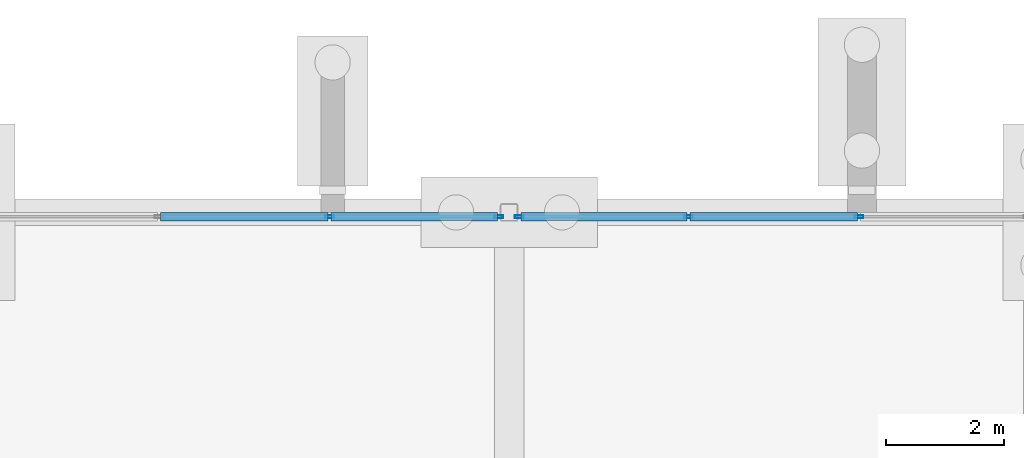
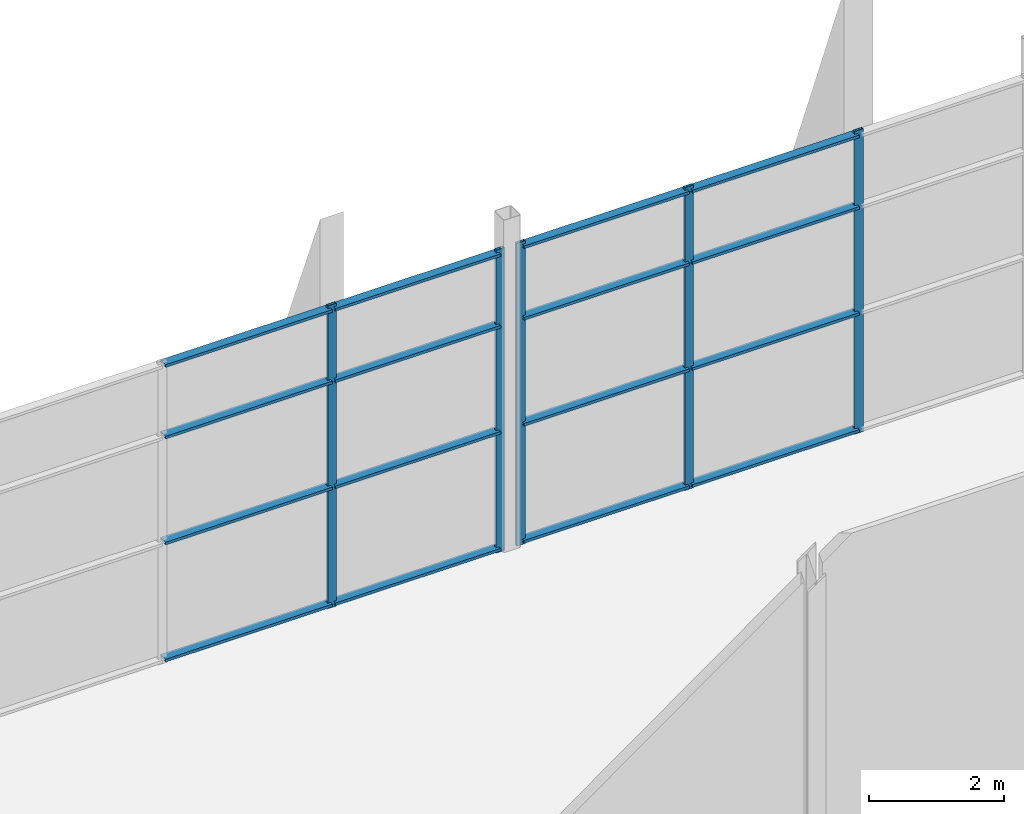
# One storey, part 83 of 139: 21 members, 2 elements without a shape of their own.
"""IFC4 building model written with IfcOpenShell, lengths in metres."""

from ifc_helpers import new_model, si_unit, direction, frame, origin, origin_2d, place, context, subcontext, project, spatial, hollow_rectangle, extrude, material, layer, layer_set, material_profile, profile_set, type_object, element, aggregate, save


model = new_model("IFC4")

# Units and contexts
model_context = context("Model", 3, precision=1e-05, world=origin(), true_north=direction((0.0, 1.0)))
body_context = subcontext(model_context, "Body", "Model", "MODEL_VIEW")
ifc_project = project(units=[si_unit("LENGTHUNIT", "METRE"), si_unit("AREAUNIT", "SQUARE_METRE"), si_unit("VOLUMEUNIT", "CUBIC_METRE"), si_unit("PLANEANGLEUNIT", "RADIAN"), si_unit("MASSUNIT", "GRAM", prefix="KILO")], contexts=[model_context])

# Site, building, storey
site_placement = place(None, origin())
site = spatial("IfcSite", under=ifc_project, at=site_placement, CompositionType="ELEMENT")
building_placement = place(site_placement, origin())
building = spatial("IfcBuilding", under=site, at=building_placement, Name="Shorebreak Coast Museum", CompositionType="ELEMENT")
storey_placement = place(building_placement, origin())
storey = spatial("IfcBuildingStorey", under=building, at=storey_placement, Name="L00", CompositionType="ELEMENT", Elevation=0.0)

# Curtain wall, members
ifc_material_1 = material(Name="Aluminium", Category="aluminium")
ifc_layer = layer(ifc_material_1, 0.14990234375)
ifc_layer_set = layer_set([ifc_layer], Name="Aluminium")
curtain_wall_type = type_object("IfcCurtainWallType", Name="Storefront curtain wall", PredefinedType="NOTDEFINED", material=ifc_layer_set)
curtain_wall_1_placement = place(storey_placement, origin())
curtain_wall_1 = element("IfcCurtainWall", 1, at=curtain_wall_1_placement, inside=storey, type_object=curtain_wall_type, Name="Storefront L00 N 4", PredefinedType="NOTDEFINED")
ifc_material_2 = material(Name="Aluminium", Category="aluminium")
ifc_material_profile_1 = material_profile(ifc_material_2, hollow_rectangle(XDim=0.050048828125, YDim=0.14990234375, WallThickness=0.00390625, at=origin_2d()), Name="AL 150x50 RHS")
ifc_profile_set_1 = profile_set([ifc_material_profile_1], Name="Aluminium")
member_type_1 = type_object("IfcMemberType", Name="Storefront mullion 50 x 150", PredefinedType="MULLION", material=ifc_profile_set_1)
member_1_placement = place(storey_placement, frame((140.949951171875, 89.925048828125, 0.0), z_axis=(0.0, 0.0, 1.0), x_axis=(0.0, 1.0, 0.0)))
member_1 = element("IfcMember", 2, at=member_1_placement, type_object=member_type_1, Name="CW8 mullion 3", PredefinedType="MULLION", context=body_context, shape_type="SweptSolid", body=[
    extrude(hollow_rectangle(XDim=0.050048828125, YDim=0.14990234375, WallThickness=0.00390625, at=origin_2d()), origin(), (0.0, 0.0, 1.0), 5.469482421875),
])
member_2_placement = place(storey_placement, frame((143.824951171875, 89.925048828125, 0.0), z_axis=(0.0, 0.0, 1.0), x_axis=(0.0, 1.0, 0.0)))
member_2 = element("IfcMember", 3, at=member_2_placement, type_object=member_type_1, Name="CW8 mullion 4", PredefinedType="MULLION", context=body_context, shape_type="SweptSolid", body=[
    extrude(hollow_rectangle(XDim=0.050048828125, YDim=0.14990234375, WallThickness=0.00390625, at=origin_2d()), origin(), (0.0, 0.0, 1.0), 5.469482421875),
])

curtain_wall_2_placement = place(storey_placement, origin())
curtain_wall_2 = element("IfcCurtainWall", 4, at=curtain_wall_2_placement, inside=storey, type_object=curtain_wall_type, Name="Storefront L00 N 5", PredefinedType="NOTDEFINED")
member_3_placement = place(storey_placement, frame((144.175048828125, 89.925048828125, 0.0), z_axis=(0.0, 0.0, 1.0), x_axis=(0.0, 1.0, 0.0)))
member_3 = element("IfcMember", 5, at=member_3_placement, type_object=member_type_1, Name="CW8 mullion 1", PredefinedType="MULLION", context=body_context, shape_type="SweptSolid", body=[
    extrude(hollow_rectangle(XDim=0.050048828125, YDim=0.14990234375, WallThickness=0.00390625, at=origin_2d()), origin(), (0.0, 0.0, 1.0), 5.469482421875),
])
member_4_placement = place(storey_placement, frame((147.050048828125, 89.925048828125, 0.0), z_axis=(0.0, 0.0, 1.0), x_axis=(0.0, 1.0, 0.0)))
member_4 = element("IfcMember", 6, at=member_4_placement, type_object=member_type_1, Name="CW8 mullion 2", PredefinedType="MULLION", context=body_context, shape_type="SweptSolid", body=[
    extrude(hollow_rectangle(XDim=0.050048828125, YDim=0.14990234375, WallThickness=0.00390625, at=origin_2d()), origin(), (0.0, 0.0, 1.0), 5.469482421875),
])
member_5_placement = place(storey_placement, frame((149.949951171875, 89.925048828125, 0.0), z_axis=(0.0, 0.0, 1.0), x_axis=(0.0, 1.0, 0.0)))
member_5 = element("IfcMember", 7, at=member_5_placement, type_object=member_type_1, Name="CW8 mullion 3", PredefinedType="MULLION", context=body_context, shape_type="SweptSolid", body=[
    extrude(hollow_rectangle(XDim=0.050048828125, YDim=0.14990234375, WallThickness=0.00390625, at=origin_2d()), origin(), (0.0, 0.0, 1.0), 5.469482421875),
])

# Member
ifc_material_3 = material(Name="Aluminium", Category="aluminium")
ifc_material_profile_2 = material_profile(ifc_material_3, hollow_rectangle(XDim=0.14990234375, YDim=0.050048828125, WallThickness=0.00390625, at=origin_2d()), Name="AL 50x150 RHS")
ifc_profile_set_2 = profile_set([ifc_material_profile_2], Name="Aluminium")
member_type_2 = type_object("IfcMemberType", Name="Storefront transom 150 x 50", PredefinedType="USERDEFINED", material=ifc_profile_set_2)
member_6_placement = place(storey_placement, frame((138.074951171875, 89.925048828125, 0.074951171875), z_axis=(1.0, 0.0, 0.0), x_axis=(0.0, 1.0, 0.0)))
member_6 = element("IfcMember", 8, at=member_6_placement, type_object=member_type_2, Name="CW8 transom 2.1", ObjectType="TRANSOM", PredefinedType="USERDEFINED", context=body_context, shape_type="SweptSolid", body=[
    extrude(hollow_rectangle(XDim=0.14990234375, YDim=0.050048828125, WallThickness=0.00390625, at=origin_2d()), origin(), (0.0, 0.0, 1.0), 2.85009765625),
])

member_7_placement = place(storey_placement, frame((138.074951171875, 89.925048828125, 2.187744140625), z_axis=(1.0, 0.0, 0.0), x_axis=(0.0, 1.0, 0.0)))
member_7 = element("IfcMember", 9, at=member_7_placement, type_object=member_type_2, Name="CW8 transom 2.2", ObjectType="TRANSOM", PredefinedType="USERDEFINED", context=body_context, shape_type="SweptSolid", body=[
    extrude(hollow_rectangle(XDim=0.14990234375, YDim=0.050048828125, WallThickness=0.00390625, at=origin_2d()), origin(), (0.0, 0.0, 1.0), 2.85009765625),
])

member_8_placement = place(storey_placement, frame((138.074951171875, 89.925048828125, 4.10205078125), z_axis=(1.0, 0.0, 0.0), x_axis=(0.0, 1.0, 0.0)))
member_8 = element("IfcMember", 10, at=member_8_placement, type_object=member_type_2, Name="CW8 transom 2.3", ObjectType="TRANSOM", PredefinedType="USERDEFINED", context=body_context, shape_type="SweptSolid", body=[
    extrude(hollow_rectangle(XDim=0.14990234375, YDim=0.050048828125, WallThickness=0.00390625, at=origin_2d()), origin(), (0.0, 0.0, 1.0), 2.85009765625),
])

member_9_placement = place(storey_placement, frame((138.074951171875, 89.925048828125, 5.394287109375), z_axis=(1.0, 0.0, 0.0), x_axis=(0.0, 1.0, 0.0)))
member_9 = element("IfcMember", 11, at=member_9_placement, type_object=member_type_2, Name="CW8 transom 2.4", ObjectType="TRANSOM", PredefinedType="USERDEFINED", context=body_context, shape_type="SweptSolid", body=[
    extrude(hollow_rectangle(XDim=0.14990234375, YDim=0.050048828125, WallThickness=0.00390625, at=origin_2d()), origin(), (0.0, 0.0, 1.0), 2.85009765625),
])

member_10_placement = place(storey_placement, frame((140.97509765625, 89.925048828125, 0.074951171875), z_axis=(1.0, 0.0, 0.0), x_axis=(0.0, 1.0, 0.0)))
member_10 = element("IfcMember", 12, at=member_10_placement, type_object=member_type_2, Name="CW8 transom 3.1", ObjectType="TRANSOM", PredefinedType="USERDEFINED", context=body_context, shape_type="SweptSolid", body=[
    extrude(hollow_rectangle(XDim=0.14990234375, YDim=0.050048828125, WallThickness=0.00390625, at=origin_2d()), origin(), (0.0, 0.0, 1.0), 2.824951171875),
])

member_11_placement = place(storey_placement, frame((140.97509765625, 89.925048828125, 2.187744140625), z_axis=(1.0, 0.0, 0.0), x_axis=(0.0, 1.0, 0.0)))
member_11 = element("IfcMember", 13, at=member_11_placement, type_object=member_type_2, Name="CW8 transom 3.2", ObjectType="TRANSOM", PredefinedType="USERDEFINED", context=body_context, shape_type="SweptSolid", body=[
    extrude(hollow_rectangle(XDim=0.14990234375, YDim=0.050048828125, WallThickness=0.00390625, at=origin_2d()), origin(), (0.0, 0.0, 1.0), 2.824951171875),
])

member_12_placement = place(storey_placement, frame((140.97509765625, 89.925048828125, 4.10205078125), z_axis=(1.0, 0.0, 0.0), x_axis=(0.0, 1.0, 0.0)))
member_12 = element("IfcMember", 14, at=member_12_placement, type_object=member_type_2, Name="CW8 transom 3.3", ObjectType="TRANSOM", PredefinedType="USERDEFINED", context=body_context, shape_type="SweptSolid", body=[
    extrude(hollow_rectangle(XDim=0.14990234375, YDim=0.050048828125, WallThickness=0.00390625, at=origin_2d()), origin(), (0.0, 0.0, 1.0), 2.824951171875),
])

member_13_placement = place(storey_placement, frame((140.97509765625, 89.925048828125, 5.394287109375), z_axis=(1.0, 0.0, 0.0), x_axis=(0.0, 1.0, 0.0)))
member_13 = element("IfcMember", 15, at=member_13_placement, type_object=member_type_2, Name="CW8 transom 3.4", ObjectType="TRANSOM", PredefinedType="USERDEFINED", context=body_context, shape_type="SweptSolid", body=[
    extrude(hollow_rectangle(XDim=0.14990234375, YDim=0.050048828125, WallThickness=0.00390625, at=origin_2d()), origin(), (0.0, 0.0, 1.0), 2.824951171875),
])

aggregate(curtain_wall_1, [member_1, member_2, member_6, member_7, member_8, member_9, member_10, member_11, member_12, member_13])

member_14_placement = place(storey_placement, frame((144.199951171875, 89.925048828125, 0.074951171875), z_axis=(1.0, 0.0, 0.0), x_axis=(0.0, 1.0, 0.0)))
member_14 = element("IfcMember", 16, at=member_14_placement, type_object=member_type_2, Name="CW8 transom 1.1", ObjectType="TRANSOM", PredefinedType="USERDEFINED", context=body_context, shape_type="SweptSolid", body=[
    extrude(hollow_rectangle(XDim=0.14990234375, YDim=0.050048828125, WallThickness=0.00390625, at=origin_2d()), origin(), (0.0, 0.0, 1.0), 2.824951171875),
])

member_15_placement = place(storey_placement, frame((144.199951171875, 89.925048828125, 2.187744140625), z_axis=(1.0, 0.0, 0.0), x_axis=(0.0, 1.0, 0.0)))
member_15 = element("IfcMember", 17, at=member_15_placement, type_object=member_type_2, Name="CW8 transom 1.2", ObjectType="TRANSOM", PredefinedType="USERDEFINED", context=body_context, shape_type="SweptSolid", body=[
    extrude(hollow_rectangle(XDim=0.14990234375, YDim=0.050048828125, WallThickness=0.00390625, at=origin_2d()), origin(), (0.0, 0.0, 1.0), 2.824951171875),
])

member_16_placement = place(storey_placement, frame((144.199951171875, 89.925048828125, 4.10205078125), z_axis=(1.0, 0.0, 0.0), x_axis=(0.0, 1.0, 0.0)))
member_16 = element("IfcMember", 18, at=member_16_placement, type_object=member_type_2, Name="CW8 transom 1.3", ObjectType="TRANSOM", PredefinedType="USERDEFINED", context=body_context, shape_type="SweptSolid", body=[
    extrude(hollow_rectangle(XDim=0.14990234375, YDim=0.050048828125, WallThickness=0.00390625, at=origin_2d()), origin(), (0.0, 0.0, 1.0), 2.824951171875),
])

member_17_placement = place(storey_placement, frame((144.199951171875, 89.925048828125, 5.394287109375), z_axis=(1.0, 0.0, 0.0), x_axis=(0.0, 1.0, 0.0)))
member_17 = element("IfcMember", 19, at=member_17_placement, type_object=member_type_2, Name="CW8 transom 1.4", ObjectType="TRANSOM", PredefinedType="USERDEFINED", context=body_context, shape_type="SweptSolid", body=[
    extrude(hollow_rectangle(XDim=0.14990234375, YDim=0.050048828125, WallThickness=0.00390625, at=origin_2d()), origin(), (0.0, 0.0, 1.0), 2.824951171875),
])

member_18_placement = place(storey_placement, frame((147.074951171875, 89.925048828125, 0.074951171875), z_axis=(1.0, 0.0, 0.0), x_axis=(0.0, 1.0, 0.0)))
member_18 = element("IfcMember", 20, at=member_18_placement, type_object=member_type_2, Name="CW8 transom 2.1", ObjectType="TRANSOM", PredefinedType="USERDEFINED", context=body_context, shape_type="SweptSolid", body=[
    extrude(hollow_rectangle(XDim=0.14990234375, YDim=0.050048828125, WallThickness=0.00390625, at=origin_2d()), origin(), (0.0, 0.0, 1.0), 2.85009765625),
])

member_19_placement = place(storey_placement, frame((147.074951171875, 89.925048828125, 2.187744140625), z_axis=(1.0, 0.0, 0.0), x_axis=(0.0, 1.0, 0.0)))
member_19 = element("IfcMember", 21, at=member_19_placement, type_object=member_type_2, Name="CW8 transom 2.2", ObjectType="TRANSOM", PredefinedType="USERDEFINED", context=body_context, shape_type="SweptSolid", body=[
    extrude(hollow_rectangle(XDim=0.14990234375, YDim=0.050048828125, WallThickness=0.00390625, at=origin_2d()), origin(), (0.0, 0.0, 1.0), 2.85009765625),
])

member_20_placement = place(storey_placement, frame((147.074951171875, 89.925048828125, 4.10205078125), z_axis=(1.0, 0.0, 0.0), x_axis=(0.0, 1.0, 0.0)))
member_20 = element("IfcMember", 22, at=member_20_placement, type_object=member_type_2, Name="CW8 transom 2.3", ObjectType="TRANSOM", PredefinedType="USERDEFINED", context=body_context, shape_type="SweptSolid", body=[
    extrude(hollow_rectangle(XDim=0.14990234375, YDim=0.050048828125, WallThickness=0.00390625, at=origin_2d()), origin(), (0.0, 0.0, 1.0), 2.85009765625),
])

member_21_placement = place(storey_placement, frame((147.074951171875, 89.925048828125, 5.394287109375), z_axis=(1.0, 0.0, 0.0), x_axis=(0.0, 1.0, 0.0)))
member_21 = element("IfcMember", 23, at=member_21_placement, type_object=member_type_2, Name="CW8 transom 2.4", ObjectType="TRANSOM", PredefinedType="USERDEFINED", context=body_context, shape_type="SweptSolid", body=[
    extrude(hollow_rectangle(XDim=0.14990234375, YDim=0.050048828125, WallThickness=0.00390625, at=origin_2d()), origin(), (0.0, 0.0, 1.0), 2.85009765625),
])

aggregate(curtain_wall_2, [member_3, member_4, member_5, member_14, member_15, member_16, member_17, member_18, member_19, member_20, member_21])

save(model, "model.ifc")
